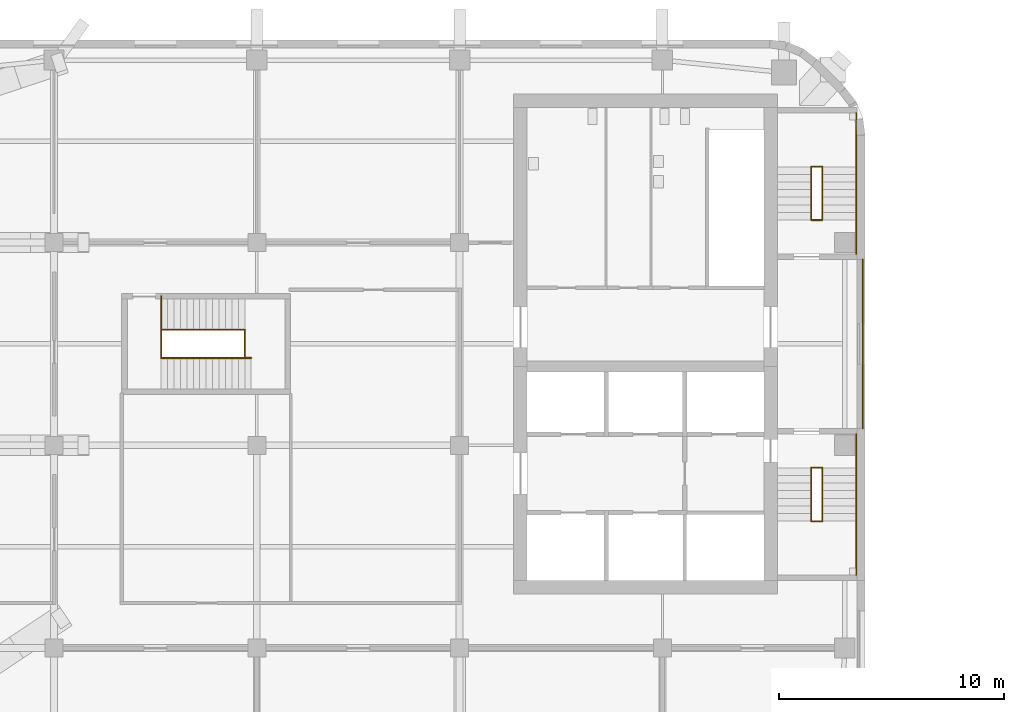
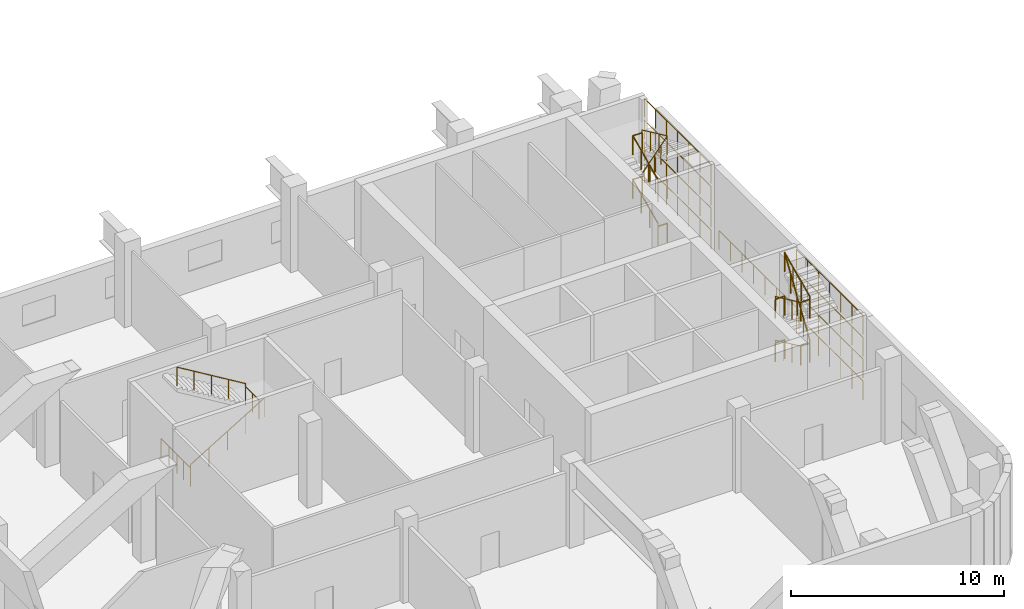
# One storey, part 21 of 23: 30 railings.
"""IFC4 building model written with IfcOpenShell, lengths in metres."""

import ifcopenshell
import ifcopenshell.guid

model = None  # the IFC model being written
_history = None  # IfcOwnerHistory: only IFC2X3 demands one
_inside = {}  # id of a spatial element -> (the spatial element, [elements in it])
_under = {}  # id of a project, library or spatial element -> (it, [spatial elements below it])
_declared = {}  # id of a project -> (the project, [libraries it declares])
_typed = {}  # id of a type object -> (the type object, [elements of that type])
_made_of = {}  # id of a material, layer set ... -> (it, [elements and type objects made of it])


def new_model(schema):
    """Start an empty IFC model of exactly this schema.

    Asked for "IFC4X3", IfcOpenShell would pick the latest addendum, in which some entities
    have other attributes; the version numbers below select the first issue.
    IFC2X3 requires an IfcOwnerHistory on every rooted entity: one is made here for all.
    """
    global model, _history
    if schema == "IFC4X3":
        model = ifcopenshell.file(schema_version=(4, 3, 0, 0))
    else:
        model = ifcopenshell.file(schema=schema)
    _inside.clear()
    _under.clear()
    _declared.clear()
    _typed.clear()
    _made_of.clear()
    _history = None
    if model.schema == "IFC2X3":
        org = make("IfcOrganization", Name="unknown")
        user = make(
            "IfcPersonAndOrganization",
            ThePerson=make("IfcPerson", FamilyName="unknown"),
            TheOrganization=org,
        )
        app = make(
            "IfcApplication",
            ApplicationDeveloper=org,
            Version="unknown",
            ApplicationFullName="unknown",
            ApplicationIdentifier="unknown",
        )
        _history = make(
            "IfcOwnerHistory",
            OwningUser=user,
            OwningApplication=app,
            ChangeAction="ADDED",
            CreationDate=0,
        )
    return model


def make(cls, **values):
    """One entity of the class cls with the attributes given. An attribute that is None is left unset."""
    return model.create_entity(
        cls, **{name: value for name, value in values.items() if value is not None}
    )


def rooted(cls, **values):
    """An entity with a GlobalId (a new one), such as an element, a storey or a relation."""
    return make(cls, GlobalId=ifcopenshell.guid.new(), OwnerHistory=_history, **values)


def si_unit(unit_type, name, prefix=None):
    """IfcSIUnit, for example si_unit("LENGTHUNIT", "METRE", prefix="MILLI")."""
    return make("IfcSIUnit", UnitType=unit_type, Prefix=prefix, Name=name)


def assignment(units):
    """IfcUnitAssignment: the units of a project."""
    return None if units is None else make("IfcUnitAssignment", Units=units)


def point(xyz):
    """IfcCartesianPoint."""
    return None if xyz is None else make("IfcCartesianPoint", Coordinates=xyz)


def direction(xyz):
    """IfcDirection."""
    return None if xyz is None else make("IfcDirection", DirectionRatios=xyz)


def frame(location, z_axis=None, x_axis=None):
    """IfcAxis2Placement3D, a coordinate frame: its origin and axes. An axis left out is left unset."""
    return make(
        "IfcAxis2Placement3D",
        Location=point(location),
        Axis=direction(z_axis),
        RefDirection=direction(x_axis),
    )


def frame_2d(location, x_axis=None):
    """IfcAxis2Placement2D, a coordinate frame in the plane: its origin and x axis."""
    return make(
        "IfcAxis2Placement2D", Location=point(location), RefDirection=direction(x_axis)
    )


def origin():
    """The frame at (0, 0, 0) with its axes left unset."""
    return frame((0.0, 0.0, 0.0))


def origin_2d():
    """The frame at (0, 0) in the plane with its x axis left unset."""
    return frame_2d((0.0, 0.0))


def place(relative_to, where):
    """IfcLocalPlacement: puts the frame where relative to a parent placement (None: the world)."""
    return make(
        "IfcLocalPlacement", PlacementRelTo=relative_to, RelativePlacement=where
    )


def context(
    kind, dimensions, precision=None, world=None, true_north=None, identifier=None
):
    """IfcGeometricRepresentationContext, for example the 3D "Model" context."""
    return make(
        "IfcGeometricRepresentationContext",
        ContextIdentifier=identifier,
        ContextType=kind,
        CoordinateSpaceDimension=dimensions,
        Precision=precision,
        WorldCoordinateSystem=world,
        TrueNorth=true_north,
    )


def subcontext(parent, identifier, kind, view, scale=None):
    """IfcGeometricRepresentationSubContext, for example "Body" below "Model"."""
    return make(
        "IfcGeometricRepresentationSubContext",
        ContextIdentifier=identifier,
        ContextType=kind,
        ParentContext=parent,
        TargetScale=scale,
        TargetView=view,
    )


def project(units=None, contexts=None):
    """IfcProject with its units and contexts."""
    return rooted(
        "IfcProject",
        Name="project",
        RepresentationContexts=contexts,
        UnitsInContext=assignment(units),
    )


def spatial(cls, under=None, at=None, **own):
    """A site, building, storey or space (cls), placed at a placement, below another one or the project."""
    s = rooted(cls, ObjectPlacement=at, **own)
    if under is not None:
        _under.setdefault(under.id(), (under, []))[1].append(s)
    return s


def profile(cls, at=None, kind="AREA", **sizes):
    """A parametric profile (cls). Its sizes go by their IFC names, for example OverallWidth=200.0."""
    return make(cls, ProfileType=kind, Position=at, **sizes)


def circle(**sizes):
    """IfcCircleProfileDef."""
    return profile("IfcCircleProfileDef", **sizes)


def extrude(swept, where, along, depth):
    """IfcExtrudedAreaSolid: the profile swept, set in the frame where, extruded along a direction by depth."""
    return make(
        "IfcExtrudedAreaSolid",
        SweptArea=swept,
        Position=where,
        ExtrudedDirection=direction(along),
        Depth=depth,
    )


def shape(context_of_items, identifier, shape_type, items):
    """IfcShapeRepresentation: the items that make up one representation, for example the "Body"."""
    return make(
        "IfcShapeRepresentation",
        ContextOfItems=context_of_items,
        RepresentationIdentifier=identifier,
        RepresentationType=shape_type,
        Items=items,
    )


def material(Name=None, Category=None):
    """IfcMaterial."""
    return make("IfcMaterial", Name=Name, Category=Category)


def made_of(thing, what):
    """Note that an element or type object is made of a material, layer set ...; save() writes the relation."""
    if what is not None:
        _made_of.setdefault(what.id(), (what, []))[1].append(thing)
    return thing


def type_object(cls, material=None, **own):
    """A type object (cls), such as IfcWallType, which elements share."""
    return made_of(rooted(cls, **own), material)


def element(
    cls,
    number,
    at=None,
    inside=None,
    cuts=None,
    type_object=None,
    material=None,
    context=None,
    identifier="Body",
    shape_type=None,
    held_by="IfcProductDefinitionShape",
    body=None,
    shapes=None,
    **own,
):
    """One element of the class cls, such as IfcWall. Its Tag is "e" and its number.

    at: its placement. inside: the storey or other place that contains it. cuts: it is an
    opening in that element (IfcRelVoidsElement). A single representation is given by context,
    identifier, shape_type and body (its items); several are given by shapes. held_by: the class
    of the entity that holds the representations. save() writes the other relations.
    """
    e = rooted(cls, Tag="e%d" % number, ObjectPlacement=at, **own)
    if body is not None:
        shapes = [shape(context, identifier, shape_type, body)]
    if shapes is not None:
        e.Representation = make(held_by, Representations=shapes)
    if inside is not None:
        _inside.setdefault(inside.id(), (inside, []))[1].append(e)
    if cuts is not None:
        rooted(
            "IfcRelVoidsElement", RelatingBuildingElement=cuts, RelatedOpeningElement=e
        )
    if type_object is not None:
        _typed.setdefault(type_object.id(), (type_object, []))[1].append(e)
    return made_of(e, material)


def aggregate(whole, parts):
    """IfcRelAggregates: a whole, such as a stair, and the parts it consists of."""
    return rooted("IfcRelAggregates", RelatingObject=whole, RelatedObjects=parts)


def save(model, path):
    """Write the relations noted so far, then the file.

    IfcRelAggregates (storeys below a building ...), IfcRelContainedInSpatialStructure (elements
    in a storey), IfcRelDefinesByType, IfcRelAssociatesMaterial and IfcRelDeclares: one each for
    every whole, place, type object, material and project.
    """
    for whole, parts in _under.values():
        aggregate(whole, parts)
    for where, things in _inside.values():
        rooted(
            "IfcRelContainedInSpatialStructure",
            RelatedElements=things,
            RelatingStructure=where,
        )
    for kind, things in _typed.values():
        rooted("IfcRelDefinesByType", RelatedObjects=things, RelatingType=kind)
    for what, things in _made_of.values():
        rooted("IfcRelAssociatesMaterial", RelatedObjects=things, RelatingMaterial=what)
    for by, libraries in _declared.values():
        rooted("IfcRelDeclares", RelatingContext=by, RelatedDefinitions=libraries)
    model.write(path)


model = new_model("IFC4")

# Units and contexts
model_context = context("Model", 3, precision=1e-05, world=origin(), true_north=direction((0.0, 1.0)))
body_context = subcontext(model_context, "Body", "Model", "MODEL_VIEW")
ifc_project = project(units=[si_unit("LENGTHUNIT", "METRE"), si_unit("AREAUNIT", "SQUARE_METRE"), si_unit("VOLUMEUNIT", "CUBIC_METRE"), si_unit("PLANEANGLEUNIT", "RADIAN"), si_unit("MASSUNIT", "GRAM", prefix="KILO")], contexts=[model_context])

# Site, building, storey
site_placement = place(None, origin())
site = spatial("IfcSite", under=ifc_project, at=site_placement, CompositionType="ELEMENT")
building_placement = place(site_placement, origin())
building = spatial("IfcBuilding", under=site, at=building_placement, Name="Cinnabar Reach Civic Tower", CompositionType="ELEMENT")
storey_placement = place(building_placement, frame((0.0, 0.0, 46.0)))
storey = spatial("IfcBuildingStorey", under=building, at=storey_placement, Name="L10", CompositionType="ELEMENT", Elevation=46.0)

# Railings
ifc_material = material(Name="Stainless steel", Category="steel")
railing_type = type_object("IfcRailingType", Name="T2 Stair guard 1100", PredefinedType="GUARDRAIL", material=ifc_material)
railing_1_placement = place(storey_placement, frame((-27.1, 27.75, 0.0)))
element("IfcRailing", 1, at=railing_1_placement, inside=storey, type_object=railing_type, Name="Corridor end guard", PredefinedType="GUARDRAIL", context=body_context, shape_type="SweptSolid", body=[
    extrude(circle(Radius=0.024, at=origin_2d()), frame((0.0, 0.0, 1.076), z_axis=(0.0, 1.0, 0.0), x_axis=(-1.0, 0.0, 0.0)), (0.0, 0.0, 1.0), 7.5),
    extrude(circle(Radius=0.021, at=origin_2d()), origin(), (0.0, 0.0, 1.0), 1.052),
    extrude(circle(Radius=0.021, at=origin_2d()), frame((0.0, 1.0714, 0.0)), (0.0, 0.0, 1.0), 1.052),
    extrude(circle(Radius=0.021, at=origin_2d()), frame((0.0, 2.1429, 0.0)), (0.0, 0.0, 1.0), 1.052),
    extrude(circle(Radius=0.021, at=origin_2d()), frame((0.0, 3.2143, 0.0)), (0.0, 0.0, 1.0), 1.052),
    extrude(circle(Radius=0.021, at=origin_2d()), frame((0.0, 4.2857, 0.0)), (0.0, 0.0, 1.0), 1.052),
    extrude(circle(Radius=0.021, at=origin_2d()), frame((0.0, 5.3571, 0.0)), (0.0, 0.0, 1.0), 1.052),
    extrude(circle(Radius=0.021, at=origin_2d()), frame((0.0, 6.4286, 0.0)), (0.0, 0.0, 1.0), 1.052),
    extrude(circle(Radius=0.021, at=origin_2d()), frame((0.0, 7.5, 0.0)), (0.0, 0.0, 1.0), 1.052),
])
for number, where, name in (
    (2, (-27.4, 21.25, 0.0), "Stair guard 1"),
    (3, (-27.4, 21.25, 1.25), "Stair guard 1"),
    (4, (-27.4, 21.25, 3.75), "Stair guard 1"),
    (5, (-27.4, 21.25, 2.5), "Stair guard 1"),
):
    element("IfcRailing", number, at=place(storey_placement, frame(where)), inside=storey, type_object=railing_type, Name=name, PredefinedType="GUARDRAIL", context=body_context, shape_type="SweptSolid", body=[
        extrude(circle(Radius=0.024, at=origin_2d()), frame((0.0, 0.0, 1.076), z_axis=(0.0, 1.0, 0.0), x_axis=(-1.0, 0.0, 0.0)), (0.0, 0.0, 1.0), 6.25),
        extrude(circle(Radius=0.021, at=origin_2d()), origin(), (0.0, 0.0, 1.0), 1.052),
        extrude(circle(Radius=0.021, at=origin_2d()), frame((0.0, 1.0417, 0.0)), (0.0, 0.0, 1.0), 1.052),
        extrude(circle(Radius=0.021, at=origin_2d()), frame((0.0, 2.0833, 0.0)), (0.0, 0.0, 1.0), 1.052),
        extrude(circle(Radius=0.021, at=origin_2d()), frame((0.0, 3.125, 0.0)), (0.0, 0.0, 1.0), 1.052),
        extrude(circle(Radius=0.021, at=origin_2d()), frame((0.0, 4.1667, 0.0)), (0.0, 0.0, 1.0), 1.052),
        extrude(circle(Radius=0.021, at=origin_2d()), frame((0.0, 5.2083, 0.0)), (0.0, 0.0, 1.0), 1.052),
        extrude(circle(Radius=0.021, at=origin_2d()), frame((0.0, 6.25, 0.0)), (0.0, 0.0, 1.0), 1.052),
    ])
for number, where, name in (
    (6, (-29.4, 26.0, 0.0), "Stair guard 1"),
    (7, (-29.4, 23.6375, 1.25), "Stair guard 1"),
):
    element("IfcRailing", number, at=place(storey_placement, frame(where)), inside=storey, type_object=railing_type, Name=name, PredefinedType="GUARDRAIL", context=body_context, shape_type="SweptSolid", body=[
        extrude(circle(Radius=0.024, at=origin_2d()), frame((0.0, 0.0, 1.076), z_axis=(1.0, 0.0, 0.0), x_axis=(0.0, 1.0, 0.0)), (0.0, 0.0, 1.0), 0.5),
        extrude(circle(Radius=0.021, at=origin_2d()), origin(), (0.0, 0.0, 1.0), 1.052),
        extrude(circle(Radius=0.021, at=origin_2d()), frame((0.5, 0.0, 0.0)), (0.0, 0.0, 1.0), 1.052),
    ])
railing_2_placement = place(storey_placement, frame((-29.4, 26.0, 0.1562)))
element("IfcRailing", 8, at=railing_2_placement, inside=storey, type_object=railing_type, Name="Stair guard 1", PredefinedType="GUARDRAIL", context=body_context, shape_type="SweptSolid", body=[
    extrude(circle(Radius=0.024, at=origin_2d()), frame((0.0, 0.0, 1.076), z_axis=(0.0, -0.907459584921, 0.420139383698), x_axis=(1.0, 0.0, 0.0)), (0.0, 0.0, 1.0), 2.6034),
    extrude(circle(Radius=0.021, at=origin_2d()), origin(), (0.0, 0.0, 1.0), 1.052),
    extrude(circle(Radius=0.021, at=origin_2d()), frame((0.0, -0.7875, 0.3646)), (0.0, 0.0, 1.0), 1.052),
    extrude(circle(Radius=0.021, at=origin_2d()), frame((0.0, -1.575, 0.7292)), (0.0, 0.0, 1.0), 1.052),
    extrude(circle(Radius=0.021, at=origin_2d()), frame((0.0, -2.3625, 1.0938)), (0.0, 0.0, 1.0), 1.052),
])
railing_3_placement = place(storey_placement, frame((-28.9, 23.6375, 1.4062)))
element("IfcRailing", 9, at=railing_3_placement, inside=storey, type_object=railing_type, Name="Stair guard 1", PredefinedType="GUARDRAIL", context=body_context, shape_type="SweptSolid", body=[
    extrude(circle(Radius=0.024, at=origin_2d()), frame((0.0, 0.0, 1.076), z_axis=(0.0, 0.549317534027, 0.835613694724), x_axis=(-1.0, 0.0, 0.0)), (0.0, 0.0, 1.0), 4.3008),
    extrude(circle(Radius=0.021, at=origin_2d()), origin(), (0.0, 0.0, 1.0), 1.052),
    extrude(circle(Radius=0.021, at=origin_2d()), frame((0.0, 0.5906, 0.8985)), (0.0, 0.0, 1.0), 1.052),
    extrude(circle(Radius=0.021, at=origin_2d()), frame((0.0, 1.1813, 1.7969)), (0.0, 0.0, 1.0), 1.052),
    extrude(circle(Radius=0.021, at=origin_2d()), frame((0.0, 1.7719, 2.6954)), (0.0, 0.0, 1.0), 1.052),
    extrude(circle(Radius=0.021, at=origin_2d()), frame((0.0, 2.3625, 3.5938)), (0.0, 0.0, 1.0), 1.052),
])
for number, where, name in (
    (10, (-29.4, 26.0, 2.5), "Stair guard 1"),
    (11, (-29.4, 23.6375, 3.75), "Stair guard 1"),
):
    element("IfcRailing", number, at=place(storey_placement, frame(where)), inside=storey, type_object=railing_type, Name=name, PredefinedType="GUARDRAIL", context=body_context, shape_type="SweptSolid", body=[
        extrude(circle(Radius=0.024, at=origin_2d()), frame((0.0, 0.0, 1.076), z_axis=(1.0, 0.0, 0.0), x_axis=(0.0, 1.0, 0.0)), (0.0, 0.0, 1.0), 0.5),
        extrude(circle(Radius=0.021, at=origin_2d()), origin(), (0.0, 0.0, 1.0), 1.052),
        extrude(circle(Radius=0.021, at=origin_2d()), frame((0.5, 0.0, 0.0)), (0.0, 0.0, 1.0), 1.052),
    ])
railing_4_placement = place(storey_placement, frame((-29.4, 26.0, 2.6562)))
element("IfcRailing", 12, at=railing_4_placement, inside=storey, type_object=railing_type, Name="Stair guard 1", PredefinedType="GUARDRAIL", context=body_context, shape_type="SweptSolid", body=[
    extrude(circle(Radius=0.024, at=origin_2d()), frame((0.0, 0.0, 1.076), z_axis=(0.0, -0.907459584921, 0.420139383698), x_axis=(1.0, 0.0, 0.0)), (0.0, 0.0, 1.0), 2.6034),
    extrude(circle(Radius=0.021, at=origin_2d()), origin(), (0.0, 0.0, 1.0), 1.052),
    extrude(circle(Radius=0.021, at=origin_2d()), frame((0.0, -0.7875, 0.3646)), (0.0, 0.0, 1.0), 1.052),
    extrude(circle(Radius=0.021, at=origin_2d()), frame((0.0, -1.575, 0.7292)), (0.0, 0.0, 1.0), 1.052),
    extrude(circle(Radius=0.021, at=origin_2d()), frame((0.0, -2.3625, 1.0938)), (0.0, 0.0, 1.0), 1.052),
])
railing_5_placement = place(storey_placement, frame((-28.9, 23.6375, 3.9062)))
element("IfcRailing", 13, at=railing_5_placement, inside=storey, type_object=railing_type, Name="Stair guard 1", PredefinedType="GUARDRAIL", context=body_context, shape_type="SweptSolid", body=[
    extrude(circle(Radius=0.024, at=origin_2d()), frame((0.0, 0.0, 1.076), z_axis=(0.0, 0.907459584921, 0.420139383698), x_axis=(-1.0, 0.0, 0.0)), (0.0, 0.0, 1.0), 2.6034),
    extrude(circle(Radius=0.021, at=origin_2d()), origin(), (0.0, 0.0, 1.0), 1.052),
    extrude(circle(Radius=0.021, at=origin_2d()), frame((0.0, 0.7875, 0.3646)), (0.0, 0.0, 1.0), 1.052),
    extrude(circle(Radius=0.021, at=origin_2d()), frame((0.0, 1.575, 0.7292)), (0.0, 0.0, 1.0), 1.052),
    extrude(circle(Radius=0.021, at=origin_2d()), frame((0.0, 2.3625, 1.0938)), (0.0, 0.0, 1.0), 1.052),
])
for number, where, name in (
    (14, (-27.4, 35.5, 0.0), "Stair guard 2"),
    (15, (-27.4, 35.5, 1.25), "Stair guard 2"),
    (16, (-27.4, 35.5, 3.75), "Stair guard 2"),
    (17, (-27.4, 35.5, 2.5), "Stair guard 2"),
):
    element("IfcRailing", number, at=place(storey_placement, frame(where)), inside=storey, type_object=railing_type, Name=name, PredefinedType="GUARDRAIL", context=body_context, shape_type="SweptSolid", body=[
        extrude(circle(Radius=0.024, at=origin_2d()), frame((0.0, 0.0, 1.076), z_axis=(0.0, 1.0, 0.0), x_axis=(-1.0, 0.0, 0.0)), (0.0, 0.0, 1.0), 6.25),
        extrude(circle(Radius=0.021, at=origin_2d()), origin(), (0.0, 0.0, 1.0), 1.052),
        extrude(circle(Radius=0.021, at=origin_2d()), frame((0.0, 1.0417, 0.0)), (0.0, 0.0, 1.0), 1.052),
        extrude(circle(Radius=0.021, at=origin_2d()), frame((0.0, 2.0833, 0.0)), (0.0, 0.0, 1.0), 1.052),
        extrude(circle(Radius=0.021, at=origin_2d()), frame((0.0, 3.125, 0.0)), (0.0, 0.0, 1.0), 1.052),
        extrude(circle(Radius=0.021, at=origin_2d()), frame((0.0, 4.1667, 0.0)), (0.0, 0.0, 1.0), 1.052),
        extrude(circle(Radius=0.021, at=origin_2d()), frame((0.0, 5.2083, 0.0)), (0.0, 0.0, 1.0), 1.052),
        extrude(circle(Radius=0.021, at=origin_2d()), frame((0.0, 6.25, 0.0)), (0.0, 0.0, 1.0), 1.052),
    ])
for number, where, name in (
    (18, (-29.4, 37.0, 0.0), "Stair guard 2"),
    (19, (-29.4, 39.3625, 1.25), "Stair guard 2"),
):
    element("IfcRailing", number, at=place(storey_placement, frame(where)), inside=storey, type_object=railing_type, Name=name, PredefinedType="GUARDRAIL", context=body_context, shape_type="SweptSolid", body=[
        extrude(circle(Radius=0.024, at=origin_2d()), frame((0.0, 0.0, 1.076), z_axis=(1.0, 0.0, 0.0), x_axis=(0.0, 1.0, 0.0)), (0.0, 0.0, 1.0), 0.5),
        extrude(circle(Radius=0.021, at=origin_2d()), origin(), (0.0, 0.0, 1.0), 1.052),
        extrude(circle(Radius=0.021, at=origin_2d()), frame((0.5, 0.0, 0.0)), (0.0, 0.0, 1.0), 1.052),
    ])
railing_6_placement = place(storey_placement, frame((-29.4, 37.0, 0.1562)))
element("IfcRailing", 20, at=railing_6_placement, inside=storey, type_object=railing_type, Name="Stair guard 2", PredefinedType="GUARDRAIL", context=body_context, shape_type="SweptSolid", body=[
    extrude(circle(Radius=0.024, at=origin_2d()), frame((0.0, 0.0, 1.076), z_axis=(0.0, 0.907459584921, 0.420139383698), x_axis=(-1.0, 0.0, 0.0)), (0.0, 0.0, 1.0), 2.6034),
    extrude(circle(Radius=0.021, at=origin_2d()), origin(), (0.0, 0.0, 1.0), 1.052),
    extrude(circle(Radius=0.021, at=origin_2d()), frame((0.0, 0.7875, 0.3646)), (0.0, 0.0, 1.0), 1.052),
    extrude(circle(Radius=0.021, at=origin_2d()), frame((0.0, 1.575, 0.7292)), (0.0, 0.0, 1.0), 1.052),
    extrude(circle(Radius=0.021, at=origin_2d()), frame((0.0, 2.3625, 1.0938)), (0.0, 0.0, 1.0), 1.052),
])
railing_7_placement = place(storey_placement, frame((-28.9, 39.3625, 1.4062)))
element("IfcRailing", 21, at=railing_7_placement, inside=storey, type_object=railing_type, Name="Stair guard 2", PredefinedType="GUARDRAIL", context=body_context, shape_type="SweptSolid", body=[
    extrude(circle(Radius=0.024, at=origin_2d()), frame((0.0, 0.0, 1.076), z_axis=(0.0, -0.549317534027, 0.835613694724), x_axis=(1.0, 0.0, 0.0)), (0.0, 0.0, 1.0), 4.3008),
    extrude(circle(Radius=0.021, at=origin_2d()), origin(), (0.0, 0.0, 1.0), 1.052),
    extrude(circle(Radius=0.021, at=origin_2d()), frame((0.0, -0.5906, 0.8985)), (0.0, 0.0, 1.0), 1.052),
    extrude(circle(Radius=0.021, at=origin_2d()), frame((0.0, -1.1812, 1.7969)), (0.0, 0.0, 1.0), 1.052),
    extrude(circle(Radius=0.021, at=origin_2d()), frame((0.0, -1.7719, 2.6954)), (0.0, 0.0, 1.0), 1.052),
    extrude(circle(Radius=0.021, at=origin_2d()), frame((0.0, -2.3625, 3.5938)), (0.0, 0.0, 1.0), 1.052),
])
for number, where, name in (
    (22, (-29.4, 37.0, 2.5), "Stair guard 2"),
    (23, (-29.4, 39.3625, 3.75), "Stair guard 2"),
):
    element("IfcRailing", number, at=place(storey_placement, frame(where)), inside=storey, type_object=railing_type, Name=name, PredefinedType="GUARDRAIL", context=body_context, shape_type="SweptSolid", body=[
        extrude(circle(Radius=0.024, at=origin_2d()), frame((0.0, 0.0, 1.076), z_axis=(1.0, 0.0, 0.0), x_axis=(0.0, 1.0, 0.0)), (0.0, 0.0, 1.0), 0.5),
        extrude(circle(Radius=0.021, at=origin_2d()), origin(), (0.0, 0.0, 1.0), 1.052),
        extrude(circle(Radius=0.021, at=origin_2d()), frame((0.5, 0.0, 0.0)), (0.0, 0.0, 1.0), 1.052),
    ])
railing_8_placement = place(storey_placement, frame((-29.4, 37.0, 2.6562)))
element("IfcRailing", 24, at=railing_8_placement, inside=storey, type_object=railing_type, Name="Stair guard 2", PredefinedType="GUARDRAIL", context=body_context, shape_type="SweptSolid", body=[
    extrude(circle(Radius=0.024, at=origin_2d()), frame((0.0, 0.0, 1.076), z_axis=(0.0, 0.907459584921, 0.420139383698), x_axis=(-1.0, 0.0, 0.0)), (0.0, 0.0, 1.0), 2.6034),
    extrude(circle(Radius=0.021, at=origin_2d()), origin(), (0.0, 0.0, 1.0), 1.052),
    extrude(circle(Radius=0.021, at=origin_2d()), frame((0.0, 0.7875, 0.3646)), (0.0, 0.0, 1.0), 1.052),
    extrude(circle(Radius=0.021, at=origin_2d()), frame((0.0, 1.575, 0.7292)), (0.0, 0.0, 1.0), 1.052),
    extrude(circle(Radius=0.021, at=origin_2d()), frame((0.0, 2.3625, 1.0938)), (0.0, 0.0, 1.0), 1.052),
])
railing_9_placement = place(storey_placement, frame((-28.9, 39.3625, 3.9062)))
element("IfcRailing", 25, at=railing_9_placement, inside=storey, type_object=railing_type, Name="Stair guard 2", PredefinedType="GUARDRAIL", context=body_context, shape_type="SweptSolid", body=[
    extrude(circle(Radius=0.024, at=origin_2d()), frame((0.0, 0.0, 1.076), z_axis=(0.0, -0.907459584921, 0.420139383698), x_axis=(1.0, 0.0, 0.0)), (0.0, 0.0, 1.0), 2.6034),
    extrude(circle(Radius=0.021, at=origin_2d()), origin(), (0.0, 0.0, 1.0), 1.052),
    extrude(circle(Radius=0.021, at=origin_2d()), frame((0.0, -0.7875, 0.3646)), (0.0, 0.0, 1.0), 1.052),
    extrude(circle(Radius=0.021, at=origin_2d()), frame((0.0, -1.575, 0.7292)), (0.0, 0.0, 1.0), 1.052),
    extrude(circle(Radius=0.021, at=origin_2d()), frame((0.0, -2.3625, 1.0938)), (0.0, 0.0, 1.0), 1.052),
])
railing_10_placement = place(storey_placement, frame((-58.25, 30.875, 0.0)))
element("IfcRailing", 26, at=railing_10_placement, inside=storey, type_object=railing_type, Name="Stair guard 3", PredefinedType="GUARDRAIL", context=body_context, shape_type="SweptSolid", body=[
    extrude(circle(Radius=0.024, at=origin_2d()), frame((0.0, 0.0, 1.076), z_axis=(0.0, 1.0, 0.0), x_axis=(-1.0, 0.0, 0.0)), (0.0, 0.0, 1.0), 1.25),
    extrude(circle(Radius=0.021, at=origin_2d()), origin(), (0.0, 0.0, 1.0), 1.052),
    extrude(circle(Radius=0.021, at=origin_2d()), frame((0.0, 0.625, 0.0)), (0.0, 0.0, 1.0), 1.052),
    extrude(circle(Radius=0.021, at=origin_2d()), frame((0.0, 1.25, 0.0)), (0.0, 0.0, 1.0), 1.052),
])
railing_11_placement = place(storey_placement, frame((-58.25, 32.125, 0.0)))
element("IfcRailing", 27, at=railing_11_placement, inside=storey, type_object=railing_type, Name="Stair guard 3", PredefinedType="GUARDRAIL", context=body_context, shape_type="SweptSolid", body=[
    extrude(circle(Radius=0.024, at=origin_2d()), frame((0.0, 0.0, 1.076), z_axis=(0.0, 1.0, 0.0), x_axis=(-1.0, 0.0, 0.0)), (0.0, 0.0, 1.0), 1.5),
    extrude(circle(Radius=0.021, at=origin_2d()), origin(), (0.0, 0.0, 1.0), 1.052),
    extrude(circle(Radius=0.021, at=origin_2d()), frame((0.0, 0.75, 0.0)), (0.0, 0.0, 1.0), 1.052),
    extrude(circle(Radius=0.021, at=origin_2d()), frame((0.0, 1.5, 0.0)), (0.0, 0.0, 1.0), 1.052),
])
railing_12_placement = place(storey_placement, frame((-54.5357, 30.875, 2.5862)))
element("IfcRailing", 28, at=railing_12_placement, inside=storey, type_object=railing_type, Name="Stair guard 3", PredefinedType="GUARDRAIL", context=body_context, shape_type="SweptSolid", body=[
    extrude(circle(Radius=0.024, at=origin_2d()), frame((0.0, 0.0, 1.076), z_axis=(0.0, 1.0, 0.0), x_axis=(-1.0, 0.0, 0.0)), (0.0, 0.0, 1.0), 1.25),
    extrude(circle(Radius=0.021, at=origin_2d()), origin(), (0.0, 0.0, 1.0), 1.052),
    extrude(circle(Radius=0.021, at=origin_2d()), frame((0.0, 0.625, 0.0)), (0.0, 0.0, 1.0), 1.052),
    extrude(circle(Radius=0.021, at=origin_2d()), frame((0.0, 1.25, 0.0)), (0.0, 0.0, 1.0), 1.052),
])
railing_13_placement = place(storey_placement, frame((-58.25, 30.875, 0.1724)))
element("IfcRailing", 29, at=railing_13_placement, inside=storey, type_object=railing_type, Name="Stair guard 3", PredefinedType="GUARDRAIL", context=body_context, shape_type="SweptSolid", body=[
    extrude(circle(Radius=0.024, at=origin_2d()), frame((0.0, 0.0, 1.076), z_axis=(0.856187008057, 0.0, 0.516666050012), x_axis=(0.0, 1.0, 0.0)), (0.0, 0.0, 1.0), 4.6719),
    extrude(circle(Radius=0.021, at=origin_2d()), origin(), (0.0, 0.0, 1.0), 1.052),
    extrude(circle(Radius=0.021, at=origin_2d()), frame((1.0, 0.0, 0.6034)), (0.0, 0.0, 1.0), 1.052),
    extrude(circle(Radius=0.021, at=origin_2d()), frame((2.0, 0.0, 1.2069)), (0.0, 0.0, 1.0), 1.052),
    extrude(circle(Radius=0.021, at=origin_2d()), frame((3.0, 0.0, 1.8103)), (0.0, 0.0, 1.0), 1.052),
    extrude(circle(Radius=0.021, at=origin_2d()), frame((4.0, 0.0, 2.4138)), (0.0, 0.0, 1.0), 1.052),
])
railing_14_placement = place(storey_placement, frame((-54.5357, 32.125, 2.7586)))
element("IfcRailing", 30, at=railing_14_placement, inside=storey, type_object=railing_type, Name="Stair guard 3", PredefinedType="GUARDRAIL", context=body_context, shape_type="SweptSolid", body=[
    extrude(circle(Radius=0.024, at=origin_2d()), frame((0.0, 0.0, 1.076), z_axis=(-0.856186430399, 0.0, 0.516667007269), x_axis=(0.0, -1.0, 0.0)), (0.0, 0.0, 1.0), 4.3382),
    extrude(circle(Radius=0.021, at=origin_2d()), origin(), (0.0, 0.0, 1.0), 1.052),
    extrude(circle(Radius=0.021, at=origin_2d()), frame((-0.9286, 0.0, 0.5603)), (0.0, 0.0, 1.0), 1.052),
    extrude(circle(Radius=0.021, at=origin_2d()), frame((-1.8572, 0.0, 1.1207)), (0.0, 0.0, 1.0), 1.052),
    extrude(circle(Radius=0.021, at=origin_2d()), frame((-2.7857, 0.0, 1.681)), (0.0, 0.0, 1.0), 1.052),
    extrude(circle(Radius=0.021, at=origin_2d()), frame((-3.7143, 0.0, 2.2414)), (0.0, 0.0, 1.0), 1.052),
])

save(model, "model.ifc")
